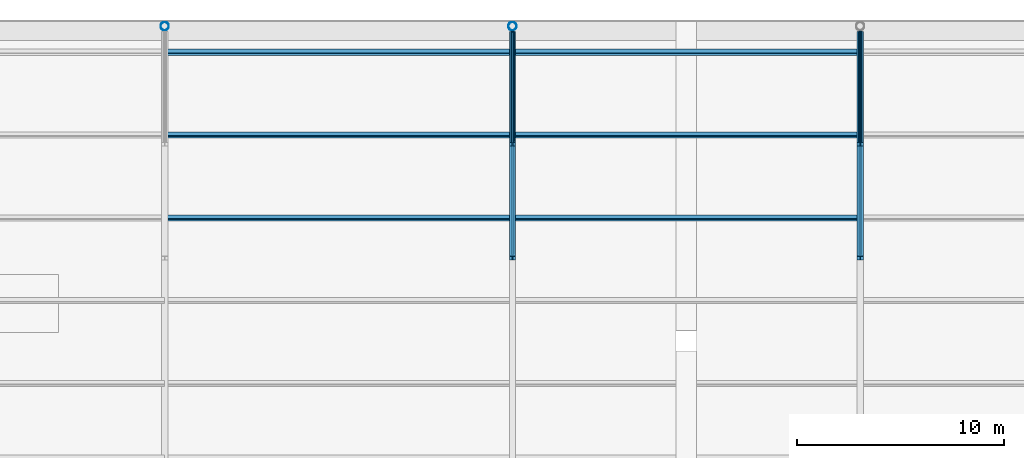
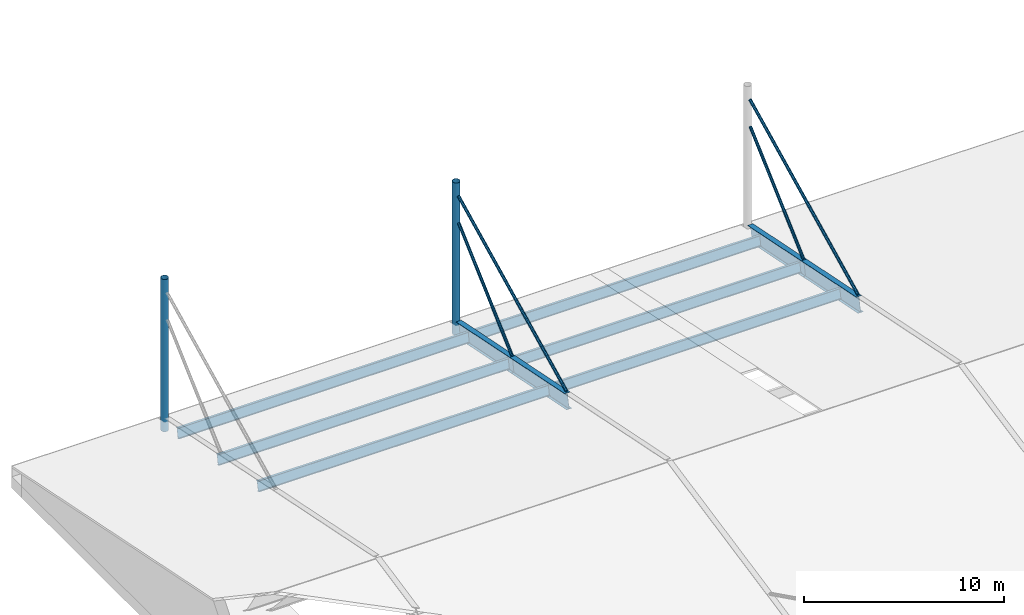
# One storey, part 5 of 8: 12 members, 4 beams.
"""IFC4 building model written with IfcOpenShell, lengths in metres."""

import ifcopenshell
import ifcopenshell.guid

model = None  # the IFC model being written
_history = None  # IfcOwnerHistory: only IFC2X3 demands one
_inside = {}  # id of a spatial element -> (the spatial element, [elements in it])
_under = {}  # id of a project, library or spatial element -> (it, [spatial elements below it])
_declared = {}  # id of a project -> (the project, [libraries it declares])
_typed = {}  # id of a type object -> (the type object, [elements of that type])
_made_of = {}  # id of a material, layer set ... -> (it, [elements and type objects made of it])


def new_model(schema):
    """Start an empty IFC model of exactly this schema.

    Asked for "IFC4X3", IfcOpenShell would pick the latest addendum, in which some entities
    have other attributes; the version numbers below select the first issue.
    IFC2X3 requires an IfcOwnerHistory on every rooted entity: one is made here for all.
    """
    global model, _history
    if schema == "IFC4X3":
        model = ifcopenshell.file(schema_version=(4, 3, 0, 0))
    else:
        model = ifcopenshell.file(schema=schema)
    _inside.clear()
    _under.clear()
    _declared.clear()
    _typed.clear()
    _made_of.clear()
    _history = None
    if model.schema == "IFC2X3":
        org = make("IfcOrganization", Name="unknown")
        user = make(
            "IfcPersonAndOrganization",
            ThePerson=make("IfcPerson", FamilyName="unknown"),
            TheOrganization=org,
        )
        app = make(
            "IfcApplication",
            ApplicationDeveloper=org,
            Version="unknown",
            ApplicationFullName="unknown",
            ApplicationIdentifier="unknown",
        )
        _history = make(
            "IfcOwnerHistory",
            OwningUser=user,
            OwningApplication=app,
            ChangeAction="ADDED",
            CreationDate=0,
        )
    return model


def make(cls, **values):
    """One entity of the class cls with the attributes given. An attribute that is None is left unset."""
    return model.create_entity(
        cls, **{name: value for name, value in values.items() if value is not None}
    )


def rooted(cls, **values):
    """An entity with a GlobalId (a new one), such as an element, a storey or a relation."""
    return make(cls, GlobalId=ifcopenshell.guid.new(), OwnerHistory=_history, **values)


def si_unit(unit_type, name, prefix=None):
    """IfcSIUnit, for example si_unit("LENGTHUNIT", "METRE", prefix="MILLI")."""
    return make("IfcSIUnit", UnitType=unit_type, Prefix=prefix, Name=name)


def assignment(units):
    """IfcUnitAssignment: the units of a project."""
    return None if units is None else make("IfcUnitAssignment", Units=units)


def point(xyz):
    """IfcCartesianPoint."""
    return None if xyz is None else make("IfcCartesianPoint", Coordinates=xyz)


def direction(xyz):
    """IfcDirection."""
    return None if xyz is None else make("IfcDirection", DirectionRatios=xyz)


def frame(location, z_axis=None, x_axis=None):
    """IfcAxis2Placement3D, a coordinate frame: its origin and axes. An axis left out is left unset."""
    return make(
        "IfcAxis2Placement3D",
        Location=point(location),
        Axis=direction(z_axis),
        RefDirection=direction(x_axis),
    )


def frame_2d(location, x_axis=None):
    """IfcAxis2Placement2D, a coordinate frame in the plane: its origin and x axis."""
    return make(
        "IfcAxis2Placement2D", Location=point(location), RefDirection=direction(x_axis)
    )


def origin():
    """The frame at (0, 0, 0) with its axes left unset."""
    return frame((0.0, 0.0, 0.0))


def origin_2d():
    """The frame at (0, 0) in the plane with its x axis left unset."""
    return frame_2d((0.0, 0.0))


def place(relative_to, where):
    """IfcLocalPlacement: puts the frame where relative to a parent placement (None: the world)."""
    return make(
        "IfcLocalPlacement", PlacementRelTo=relative_to, RelativePlacement=where
    )


def context(
    kind, dimensions, precision=None, world=None, true_north=None, identifier=None
):
    """IfcGeometricRepresentationContext, for example the 3D "Model" context."""
    return make(
        "IfcGeometricRepresentationContext",
        ContextIdentifier=identifier,
        ContextType=kind,
        CoordinateSpaceDimension=dimensions,
        Precision=precision,
        WorldCoordinateSystem=world,
        TrueNorth=true_north,
    )


def subcontext(parent, identifier, kind, view, scale=None):
    """IfcGeometricRepresentationSubContext, for example "Body" below "Model"."""
    return make(
        "IfcGeometricRepresentationSubContext",
        ContextIdentifier=identifier,
        ContextType=kind,
        ParentContext=parent,
        TargetScale=scale,
        TargetView=view,
    )


def project(units=None, contexts=None):
    """IfcProject with its units and contexts."""
    return rooted(
        "IfcProject",
        Name="project",
        RepresentationContexts=contexts,
        UnitsInContext=assignment(units),
    )


def spatial(cls, under=None, at=None, **own):
    """A site, building, storey or space (cls), placed at a placement, below another one or the project."""
    s = rooted(cls, ObjectPlacement=at, **own)
    if under is not None:
        _under.setdefault(under.id(), (under, []))[1].append(s)
    return s


def profile(cls, at=None, kind="AREA", **sizes):
    """A parametric profile (cls). Its sizes go by their IFC names, for example OverallWidth=200.0."""
    return make(cls, ProfileType=kind, Position=at, **sizes)


def hollow_circle(**sizes):
    """IfcCircleHollowProfileDef."""
    return profile("IfcCircleHollowProfileDef", **sizes)


def i_section(**sizes):
    """IfcIShapeProfileDef."""
    return profile("IfcIShapeProfileDef", **sizes)


def extrude(swept, where, along, depth):
    """IfcExtrudedAreaSolid: the profile swept, set in the frame where, extruded along a direction by depth."""
    return make(
        "IfcExtrudedAreaSolid",
        SweptArea=swept,
        Position=where,
        ExtrudedDirection=direction(along),
        Depth=depth,
    )


def shape(context_of_items, identifier, shape_type, items):
    """IfcShapeRepresentation: the items that make up one representation, for example the "Body"."""
    return make(
        "IfcShapeRepresentation",
        ContextOfItems=context_of_items,
        RepresentationIdentifier=identifier,
        RepresentationType=shape_type,
        Items=items,
    )


def material(Name=None, Category=None):
    """IfcMaterial."""
    return make("IfcMaterial", Name=Name, Category=Category)


def material_profile(
    of_material, cross_section, Name=None, Category=None, Priority=None
):
    """IfcMaterialProfile: a cross section and its material."""
    return make(
        "IfcMaterialProfile",
        Name=Name,
        Material=of_material,
        Profile=cross_section,
        Priority=Priority,
        Category=Category,
    )


def profile_set(profiles, Name=None, composite=None):
    """IfcMaterialProfileSet."""
    return make(
        "IfcMaterialProfileSet",
        Name=Name,
        MaterialProfiles=profiles,
        CompositeProfile=composite,
    )


def made_of(thing, what):
    """Note that an element or type object is made of a material, layer set ...; save() writes the relation."""
    if what is not None:
        _made_of.setdefault(what.id(), (what, []))[1].append(thing)
    return thing


def type_object(cls, material=None, **own):
    """A type object (cls), such as IfcWallType, which elements share."""
    return made_of(rooted(cls, **own), material)


def element(
    cls,
    number,
    at=None,
    inside=None,
    cuts=None,
    type_object=None,
    material=None,
    context=None,
    identifier="Body",
    shape_type=None,
    held_by="IfcProductDefinitionShape",
    body=None,
    shapes=None,
    **own,
):
    """One element of the class cls, such as IfcWall. Its Tag is "e" and its number.

    at: its placement. inside: the storey or other place that contains it. cuts: it is an
    opening in that element (IfcRelVoidsElement). A single representation is given by context,
    identifier, shape_type and body (its items); several are given by shapes. held_by: the class
    of the entity that holds the representations. save() writes the other relations.
    """
    e = rooted(cls, Tag="e%d" % number, ObjectPlacement=at, **own)
    if body is not None:
        shapes = [shape(context, identifier, shape_type, body)]
    if shapes is not None:
        e.Representation = make(held_by, Representations=shapes)
    if inside is not None:
        _inside.setdefault(inside.id(), (inside, []))[1].append(e)
    if cuts is not None:
        rooted(
            "IfcRelVoidsElement", RelatingBuildingElement=cuts, RelatedOpeningElement=e
        )
    if type_object is not None:
        _typed.setdefault(type_object.id(), (type_object, []))[1].append(e)
    return made_of(e, material)


def aggregate(whole, parts):
    """IfcRelAggregates: a whole, such as a stair, and the parts it consists of."""
    return rooted("IfcRelAggregates", RelatingObject=whole, RelatedObjects=parts)


def save(model, path):
    """Write the relations noted so far, then the file.

    IfcRelAggregates (storeys below a building ...), IfcRelContainedInSpatialStructure (elements
    in a storey), IfcRelDefinesByType, IfcRelAssociatesMaterial and IfcRelDeclares: one each for
    every whole, place, type object, material and project.
    """
    for whole, parts in _under.values():
        aggregate(whole, parts)
    for where, things in _inside.values():
        rooted(
            "IfcRelContainedInSpatialStructure",
            RelatedElements=things,
            RelatingStructure=where,
        )
    for kind, things in _typed.values():
        rooted("IfcRelDefinesByType", RelatedObjects=things, RelatingType=kind)
    for what, things in _made_of.values():
        rooted("IfcRelAssociatesMaterial", RelatedObjects=things, RelatingMaterial=what)
    for by, libraries in _declared.values():
        rooted("IfcRelDeclares", RelatingContext=by, RelatedDefinitions=libraries)
    model.write(path)


model = new_model("IFC4")

# Units and contexts
model_context = context("Model", 3, precision=1e-05, world=origin(), true_north=direction((0.0, 1.0)))
body_context = subcontext(model_context, "Body", "Model", "MODEL_VIEW")
ifc_project = project(units=[si_unit("LENGTHUNIT", "METRE"), si_unit("AREAUNIT", "SQUARE_METRE"), si_unit("VOLUMEUNIT", "CUBIC_METRE"), si_unit("PLANEANGLEUNIT", "RADIAN"), si_unit("MASSUNIT", "GRAM", prefix="KILO")], contexts=[model_context])

# Site, building, storey
site_placement = place(None, origin())
site = spatial("IfcSite", under=ifc_project, at=site_placement, CompositionType="ELEMENT")
building_placement = place(site_placement, origin())
building = spatial("IfcBuilding", under=site, at=building_placement, Name="Ljudholm Concert House", CompositionType="ELEMENT")
storey_placement = place(building_placement, frame((0.0, 0.0, 22.800048828125)))
storey = spatial("IfcBuildingStorey", under=building, at=storey_placement, Name="ROOF", CompositionType="ELEMENT", Elevation=22.800048828125)

# Beams
ifc_material_1 = material(Name="Steel ASTM A992", Category="steel")
ifc_material_profile_1 = material_profile(ifc_material_1, i_section(OverallWidth=0.3046875, OverallDepth=0.904296875, WebThickness=0.01513671875, FlangeThickness=0.02001953125, FilletRadius=0.01904296875, at=origin_2d()), Name="W36X135")
ifc_profile_set_1 = profile_set([ifc_material_profile_1], Name="Steel ASTM A992")
beam_type = type_object("IfcBeamType", Name="STEEL BEAM W36X135 BEAM", PredefinedType="BEAM", material=ifc_profile_set_1)
beam_1_placement = place(storey_placement, frame((54.39990234375, 85.39990234375, 3.350341796875), z_axis=(0.0, 0.979927877682, -0.199352337687), x_axis=(-1.0, 0.0, 0.0)))
element("IfcBeam", 1, at=beam_1_placement, inside=storey, type_object=beam_type, Name="Roof girder G2", PredefinedType="BEAM", context=body_context, shape_type="SweptSolid", body=[
    extrude(i_section(OverallWidth=0.3046875, OverallDepth=0.904296875, WebThickness=0.01513671875, FlangeThickness=0.02001953125, FilletRadius=0.01904296875, at=origin_2d()), origin(), (0.0, 0.0, 1.0), 5.612548828125),
])
beam_2_placement = place(storey_placement, frame((54.39990234375, 90.89990234375, 2.2314453125), z_axis=(0.0, 0.979928667934, -0.199348453119), x_axis=(-1.0, 0.0, 0.0)))
element("IfcBeam", 2, at=beam_2_placement, inside=storey, type_object=beam_type, Name="Roof girder G2", PredefinedType="BEAM", context=body_context, shape_type="SweptSolid", body=[
    extrude(i_section(OverallWidth=0.3046875, OverallDepth=0.904296875, WebThickness=0.01513671875, FlangeThickness=0.02001953125, FilletRadius=0.01904296875, at=origin_2d()), origin(), (0.0, 0.0, 1.0), 5.459716796875),
])
beam_3_placement = place(storey_placement, frame((71.199951171875, 85.39990234375, 3.350341796875), z_axis=(0.0, 0.979927877682, -0.199352337687), x_axis=(-1.0, 0.0, 0.0)))
element("IfcBeam", 3, at=beam_3_placement, inside=storey, type_object=beam_type, Name="Roof girder G3", PredefinedType="BEAM", context=body_context, shape_type="SweptSolid", body=[
    extrude(i_section(OverallWidth=0.3046875, OverallDepth=0.904296875, WebThickness=0.01513671875, FlangeThickness=0.02001953125, FilletRadius=0.01904296875, at=origin_2d()), origin(), (0.0, 0.0, 1.0), 5.612548828125),
])
beam_4_placement = place(storey_placement, frame((71.199951171875, 90.89990234375, 2.2314453125), z_axis=(0.0, 0.979928667934, -0.199348453119), x_axis=(-1.0, 0.0, 0.0)))
element("IfcBeam", 4, at=beam_4_placement, inside=storey, type_object=beam_type, Name="Roof girder G3", PredefinedType="BEAM", context=body_context, shape_type="SweptSolid", body=[
    extrude(i_section(OverallWidth=0.3046875, OverallDepth=0.904296875, WebThickness=0.01513671875, FlangeThickness=0.02001953125, FilletRadius=0.01904296875, at=origin_2d()), origin(), (0.0, 0.0, 1.0), 5.459716796875),
])

# Members
ifc_material_2 = material(Name="Concrete-filled steel tube (Steel ASTM A500 Gr. C, fill Concrete 6,500 psi)", Category="concrete")
ifc_material_profile_2 = material_profile(ifc_material_2, hollow_circle(Radius=0.203125, WallThickness=0.01171875, at=origin_2d()), Name="HSS16.000X0.500")
ifc_profile_set_2 = profile_set([ifc_material_profile_2], Name="Concrete-filled steel tube (Steel ASTM A500 Gr. C, fill Concrete 6,500 psi)")
member_type_1 = type_object("IfcMemberType", Name="STEEL MEMBER HSS16.000X0.500 POST", PredefinedType="POST", material=ifc_profile_set_2)
for number, where, z_axis, x_axis, name in (
    (5, (37.60009765625, 96.60009765625, 0.699951171875), (0.0, 0.0, 1.0), (1.0, 0.0, 0.0), "Roof mast N1"),
    (6, (54.39990234375, 96.60009765625, 0.699951171875), (0.0, 0.0, 1.0), (1.0, 0.0, 0.0), "Roof mast N2"),
):
    element("IfcMember", number, at=place(storey_placement, frame(where, z_axis=z_axis, x_axis=x_axis)), inside=storey, type_object=member_type_1, Name=name, PredefinedType="POST", context=body_context, shape_type="SweptSolid", body=[
        extrude(hollow_circle(Radius=0.203125, WallThickness=0.01171875, at=origin_2d()), origin(), (0.0, 0.0, 1.0), 9.27490234375),
    ])
ifc_material_3 = material(Name="Steel ASTM A500 Gr. C", Category="steel")
ifc_material_profile_3 = material_profile(ifc_material_3, hollow_circle(Radius=0.084228515625, WallThickness=0.006591796875, at=origin_2d()), Name="HSS6.625X0.280")
ifc_profile_set_3 = profile_set([ifc_material_profile_3], Name="Steel ASTM A500 Gr. C")
member_type_2 = type_object("IfcMemberType", Name="STEEL MEMBER HSS6.625X0.280 BRACE", PredefinedType="BRACE", material=ifc_profile_set_3)
member_1_placement = place(storey_placement, frame((54.39990234375, 96.340087890625, 7.5625), z_axis=(0.0, -0.738258890166, -0.674517465371), x_axis=(1.0, 0.0, 0.0)))
element("IfcMember", 7, at=member_1_placement, inside=storey, type_object=member_type_2, Name="Roof stay N2.1", PredefinedType="BRACE", context=body_context, shape_type="SweptSolid", body=[
    extrude(hollow_circle(Radius=0.084228515625, WallThickness=0.006591796875, at=origin_2d()), origin(), (0.0, 0.0, 1.0), 7.185302734375),
])
member_2_placement = place(storey_placement, frame((54.39990234375, 96.359375, 9.1806640625), z_axis=(0.0, -0.895985327461, -0.444083655378), x_axis=(1.0, 0.0, 0.0)))
element("IfcMember", 8, at=member_2_placement, inside=storey, type_object=member_type_2, Name="Roof stay N2.2", PredefinedType="BRACE", context=body_context, shape_type="SweptSolid", body=[
    extrude(hollow_circle(Radius=0.084228515625, WallThickness=0.006591796875, at=origin_2d()), origin(), (0.0, 0.0, 1.0), 12.022705078125),
])
member_3_placement = place(storey_placement, frame((71.199951171875, 96.340087890625, 7.5625), z_axis=(0.0, -0.738258890166, -0.674517465371), x_axis=(1.0, 0.0, 0.0)))
element("IfcMember", 9, at=member_3_placement, inside=storey, type_object=member_type_2, Name="Roof stay N3.1", PredefinedType="BRACE", context=body_context, shape_type="SweptSolid", body=[
    extrude(hollow_circle(Radius=0.084228515625, WallThickness=0.006591796875, at=origin_2d()), origin(), (0.0, 0.0, 1.0), 7.185302734375),
])
member_4_placement = place(storey_placement, frame((71.199951171875, 96.359375, 9.1806640625), z_axis=(0.0, -0.895985327461, -0.444083655378), x_axis=(1.0, 0.0, 0.0)))
element("IfcMember", 10, at=member_4_placement, inside=storey, type_object=member_type_2, Name="Roof stay N3.2", PredefinedType="BRACE", context=body_context, shape_type="SweptSolid", body=[
    extrude(hollow_circle(Radius=0.084228515625, WallThickness=0.006591796875, at=origin_2d()), origin(), (0.0, 0.0, 1.0), 12.022705078125),
])
ifc_material_4 = material(Name="Steel ASTM A992", Category="steel")
ifc_material_profile_4 = material_profile(ifc_material_4, i_section(OverallWidth=0.177978515625, OverallDepth=0.599365234375, WebThickness=0.010009765625, FlangeThickness=0.012939453125, FilletRadius=0.012939453125, at=origin_2d()), Name="W24X55")
ifc_profile_set_4 = profile_set([ifc_material_profile_4], Name="Steel ASTM A992")
member_type_3 = type_object("IfcMemberType", Name="STEEL MEMBER W24X55 PURLIN", PredefinedType="PURLIN", material=ifc_profile_set_4)
for number, where, z_axis, x_axis, name in (
    (11, (37.607666015625, 95.34033203125, 1.233642578125), (1.0, 0.0, 0.0), (0.0, 0.979924704621, -0.199367934417), "Purlin"),
    (12, (37.607666015625, 91.34033203125, 2.04736328125), (1.0, 0.0, 0.0), (0.0, 0.979924704621, -0.199367934417), "Purlin"),
    (13, (37.607666015625, 87.34033203125, 2.861328125), (1.0, 0.0, 0.0), (0.0, 0.979924704621, -0.199367934417), "Purlin"),
    (14, (54.40771484375, 95.34033203125, 1.233642578125), (1.0, 0.0, 0.0), (0.0, 0.979924704621, -0.199367934417), "Purlin"),
    (15, (54.40771484375, 91.34033203125, 2.04736328125), (1.0, 0.0, 0.0), (0.0, 0.979924704621, -0.199367934417), "Purlin"),
    (16, (54.40771484375, 87.34033203125, 2.861328125), (1.0, 0.0, 0.0), (0.0, 0.979924704621, -0.199367934417), "Purlin"),
):
    element("IfcMember", number, at=place(storey_placement, frame(where, z_axis=z_axis, x_axis=x_axis)), inside=storey, type_object=member_type_3, Name=name, PredefinedType="PURLIN", context=body_context, shape_type="SweptSolid", body=[
        extrude(i_section(OverallWidth=0.177978515625, OverallDepth=0.599365234375, WebThickness=0.010009765625, FlangeThickness=0.012939453125, FilletRadius=0.012939453125, at=origin_2d()), origin(), (0.0, 0.0, 1.0), 16.78466796875),
    ])

save(model, "model.ifc")
